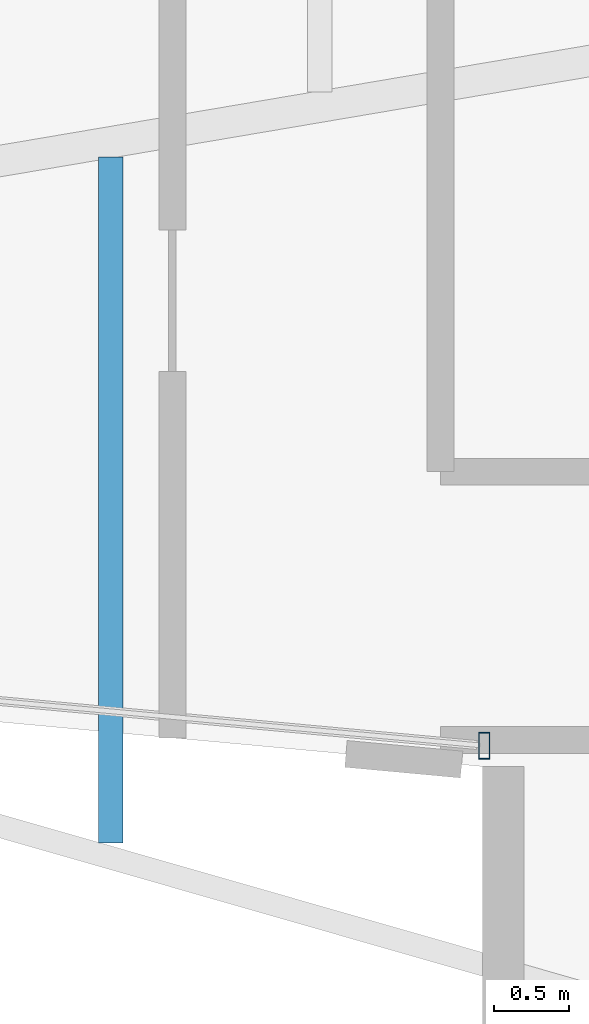
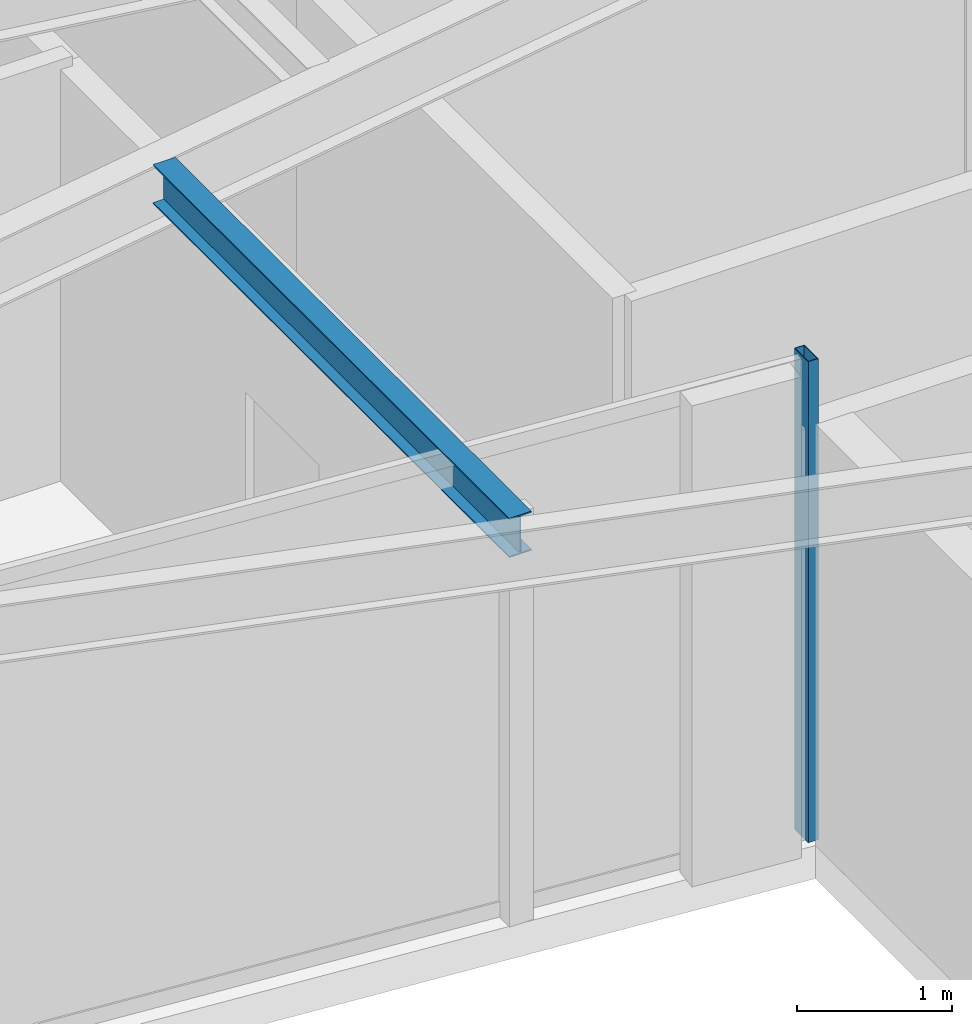
# One storey, part 4 of 21: 1 beam, 1 member, 1 element without a shape of its own.
"""IFC4 building model written with IfcOpenShell, lengths in metres."""

from ifc_helpers import new_model, si_unit, direction, frame, origin, origin_2d, place, context, subcontext, project, spatial, hollow_rectangle, i_section, extrude, material, layer, layer_set, material_profile, profile_set, type_object, element, aggregate, save


model = new_model("IFC4")

# Units and contexts
model_context = context("Model", 3, precision=1e-05, world=origin(), true_north=direction((0.0, 1.0)))
body_context = subcontext(model_context, "Body", "Model", "MODEL_VIEW")
ifc_project = project(units=[si_unit("LENGTHUNIT", "METRE"), si_unit("AREAUNIT", "SQUARE_METRE"), si_unit("VOLUMEUNIT", "CUBIC_METRE"), si_unit("PLANEANGLEUNIT", "RADIAN"), si_unit("MASSUNIT", "GRAM", prefix="KILO")], contexts=[model_context])

# Site, building, storey
site_placement = place(None, origin())
site = spatial("IfcSite", under=ifc_project, at=site_placement, CompositionType="ELEMENT")
building_placement = place(site_placement, origin())
building = spatial("IfcBuilding", under=site, at=building_placement, Name="Veymaron Broadcast Tower", CompositionType="ELEMENT")
storey_placement = place(building_placement, frame((0.0, 0.0, 212.10009765625)))
storey = spatial("IfcBuildingStorey", under=building, at=storey_placement, Name="L49", CompositionType="ELEMENT", Elevation=212.10009765625)

# Beam
ifc_material_1 = material(Name="Structural steel ASTM A992 Gr 50", Category="steel")
ifc_material_profile_1 = material_profile(ifc_material_1, i_section(OverallWidth=0.1650390625, OverallDepth=0.31005859375, WebThickness=0.005859375, FlangeThickness=0.009765625, at=origin_2d()), Name="W310X39")
ifc_profile_set_1 = profile_set([ifc_material_profile_1], Name="Structural steel ASTM A992 Gr 50")
beam_type = type_object("IfcBeamType", Name="BM-JS3", PredefinedType="JOIST", material=ifc_profile_set_1)
beam_placement = place(storey_placement, frame((24.18603515625, 18.110107421875, 3.635009765625), z_axis=(0.0, 1.0, 0.0), x_axis=(-1.0, 0.0, 0.0)))
element("IfcBeam", 1, at=beam_placement, inside=storey, type_object=beam_type, Name="L49 Arm-A secondary joist 2S", PredefinedType="JOIST", context=body_context, shape_type="SweptSolid", body=[
    extrude(i_section(OverallWidth=0.1650390625, OverallDepth=0.31005859375, WebThickness=0.005859375, FlangeThickness=0.009765625, at=origin_2d()), origin(), (0.0, 0.0, 1.0), 4.599853515625),
])

# Curtain wall, member
ifc_material_2 = material(Name="Anodised aluminium AA 6063-T6 and laminated low-E dark glass", Category="aluminium")
ifc_layer = layer(ifc_material_2, 0.179931640625)
ifc_layer_set = layer_set([ifc_layer], Name="Anodised aluminium AA 6063-T6 and laminated low-E dark glass")
curtain_wall_type = type_object("IfcCurtainWallType", Name="CW-SYS-05", PredefinedType="NOTDEFINED", material=ifc_layer_set)
curtain_wall_placement = place(storey_placement, origin())
curtain_wall = element("IfcCurtainWall", 2, at=curtain_wall_placement, inside=storey, type_object=curtain_wall_type, Name="L49 dark-glass curtain wall CW-L49-E14-1", PredefinedType="NOTDEFINED")
ifc_material_3 = material(Name="Anodised aluminium AA 6063-T6", Category="aluminium")
ifc_material_profile_2 = material_profile(ifc_material_3, hollow_rectangle(XDim=0.074951171875, YDim=0.179931640625, WallThickness=0.0048828125, at=origin_2d()), Name="AL180X75X5")
ifc_profile_set_2 = profile_set([ifc_material_profile_2], Name="Anodised aluminium AA 6063-T6")
member_type = type_object("IfcMemberType", Name="CW-MUL-02", PredefinedType="MULLION", material=ifc_profile_set_2)
member_placement = place(storey_placement, frame((26.69287109375, 18.76171875, 0.0), z_axis=(0.0, 0.0, 1.0), x_axis=(1.0, 0.0, 0.0)))
member = element("IfcMember", 3, at=member_placement, type_object=member_type, Name="CW-L49-E14-1 mullion 2", PredefinedType="MULLION", context=body_context, shape_type="SweptSolid", body=[
    extrude(hollow_rectangle(XDim=0.074951171875, YDim=0.179931640625, WallThickness=0.0048828125, at=origin_2d()), origin(), (0.0, 0.0, 1.0), 3.789794921875),
])
aggregate(curtain_wall, [member])

save(model, "model.ifc")
